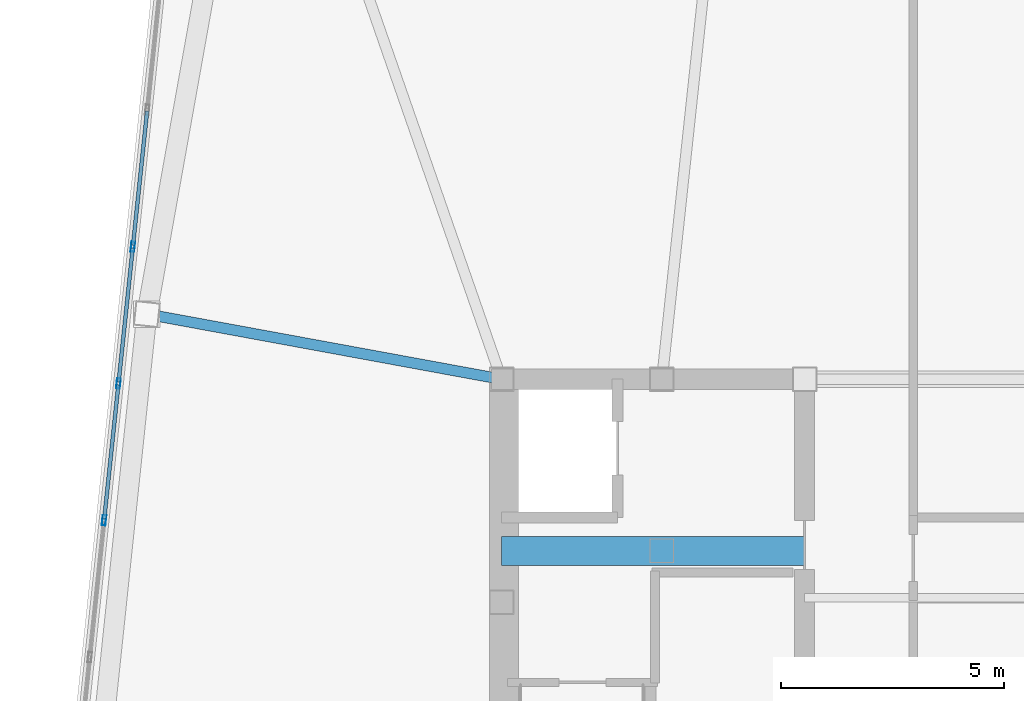
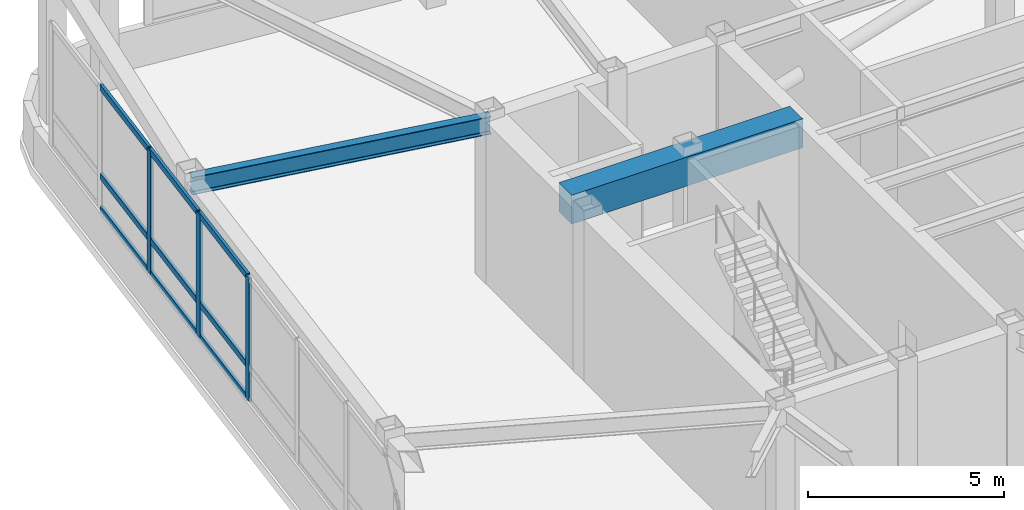
# One storey, part 7 of 23: 12 members, 2 beams, 1 element without a shape of its own.
"""IFC4 building model written with IfcOpenShell, lengths in metres."""

from ifc_helpers import new_model, si_unit, direction, frame, origin, origin_2d, place, context, subcontext, project, spatial, rectangle, hollow_rectangle, i_section, extrude, material, layer, layer_set, material_profile, profile_set, type_object, element, aggregate, save


model = new_model("IFC4")

# Units and contexts
model_context = context("Model", 3, precision=1e-05, world=origin(), true_north=direction((0.0, 1.0)))
body_context = subcontext(model_context, "Body", "Model", "MODEL_VIEW")
ifc_project = project(units=[si_unit("LENGTHUNIT", "METRE"), si_unit("AREAUNIT", "SQUARE_METRE"), si_unit("VOLUMEUNIT", "CUBIC_METRE"), si_unit("PLANEANGLEUNIT", "RADIAN"), si_unit("MASSUNIT", "GRAM", prefix="KILO")], contexts=[model_context])

# Site, building, storey
site_placement = place(None, origin())
site = spatial("IfcSite", under=ifc_project, at=site_placement, CompositionType="ELEMENT")
building_placement = place(site_placement, origin())
building = spatial("IfcBuilding", under=site, at=building_placement, Name="Voryun Gate Residences", CompositionType="ELEMENT")
storey_placement = place(building_placement, frame((0.0, 0.0, 321.300048828125)))
storey = spatial("IfcBuildingStorey", under=building, at=storey_placement, Name="L79", CompositionType="ELEMENT", Elevation=321.300048828125)

# Beams
ifc_material_1 = material(Name="Concrete C60/75", Category="concrete")
ifc_material_profile_1 = material_profile(ifc_material_1, rectangle(XDim=0.64990234375, YDim=0.89990234375, at=origin_2d()), Name="RC-650x900")
ifc_profile_set_1 = profile_set([ifc_material_profile_1], Name="Concrete C60/75")
beam_type_1 = type_object("IfcBeamType", Name="BM_COUP_RC900", PredefinedType="LINTEL", material=ifc_profile_set_1)
beam_1_placement = place(storey_placement, frame((-19.199951171875, 3.550048828125, 4.574951171875), z_axis=(1.0, 0.0, 0.0), x_axis=(0.0, 1.0, 0.0)))
element("IfcBeam", 1, at=beam_1_placement, inside=storey, type_object=beam_type_1, Name="BM-L79-WC1", PredefinedType="LINTEL", context=body_context, shape_type="SweptSolid", body=[
    extrude(rectangle(XDim=0.64990234375, YDim=0.89990234375, at=origin_2d()), origin(), (0.0, 0.0, 1.0), 6.800048828125),
])
ifc_material_2 = material(Name="Steel SM355", Category="steel")
ifc_material_profile_2 = material_profile(ifc_material_2, i_section(OverallWidth=0.239990234375, OverallDepth=0.550048828125, WebThickness=0.011962890625, FlangeThickness=0.02001953125, FilletRadius=0.01806640625, at=origin_2d()), Name="H-550x240x12x20")
ifc_profile_set_2 = profile_set([ifc_material_profile_2], Name="Steel SM355")
beam_type_2 = type_object("IfcBeamType", Name="BM_GIRD_550", PredefinedType="USERDEFINED", material=ifc_profile_set_2)
beam_2_placement = place(storey_placement, frame((-19.199951171875, 7.39990234375, 4.75), z_axis=(-0.983548260318, 0.180645563534, 0.0), x_axis=(-0.180645563534, -0.983548260318, 0.0)))
element("IfcBeam", 2, at=beam_2_placement, inside=storey, type_object=beam_type_2, Name="BM-L79-RAD-W1", ObjectType="GIRDER", PredefinedType="USERDEFINED", context=body_context, shape_type="SweptSolid", body=[
    extrude(i_section(OverallWidth=0.239990234375, OverallDepth=0.550048828125, WebThickness=0.011962890625, FlangeThickness=0.02001953125, FilletRadius=0.01806640625, at=origin_2d()), origin(), (0.0, 0.0, 1.0), 8.09130859375),
])

# Curtain wall, members
ifc_material_3 = material(Name="Anodised aluminium", Category="aluminium")
ifc_layer = layer(ifc_material_3, 0.22998046875, Name="CW_SYS_LANTERN_DARK_GLASS")
ifc_layer_set = layer_set([ifc_layer], Name="Anodised aluminium")
curtain_wall_type = type_object("IfcCurtainWallType", Name="CW_SYS_LANTERN_DARK_GLASS", PredefinedType="NOTDEFINED", material=ifc_layer_set)
curtain_wall_placement = place(storey_placement, origin())
curtain_wall = element("IfcCurtainWall", 3, at=curtain_wall_placement, inside=storey, type_object=curtain_wall_type, Name="Curtain wall CW6-L79-06", PredefinedType="NOTDEFINED")
ifc_material_4 = material(Name="Anodised aluminium", Category="aluminium")
ifc_material_profile_3 = material_profile(ifc_material_4, hollow_rectangle(XDim=0.0849609375, YDim=0.22998046875, WallThickness=0.006103515625, at=origin_2d()), Name="ALU-MULL-230x85x6")
ifc_profile_set_3 = profile_set([ifc_material_profile_3], Name="Anodised aluminium")
member_type_1 = type_object("IfcMemberType", Name="CW_MULL_LANT", PredefinedType="MULLION", material=ifc_profile_set_3)
member_1_placement = place(storey_placement, frame((-28.1171875, 4.234375, 1.18994140625), z_axis=(0.0, 0.0, 1.0), x_axis=(-0.994521943608, 0.104528004296, 0.0)))
member_1 = element("IfcMember", 4, at=member_1_placement, type_object=member_type_1, Name="CW6 mullion 6", PredefinedType="MULLION", context=body_context, shape_type="SweptSolid", body=[
    extrude(hollow_rectangle(XDim=0.0849609375, YDim=0.22998046875, WallThickness=0.006103515625, at=origin_2d()), origin(), (0.0, 0.0, 1.0), 3.8349609375),
])
member_2_placement = place(storey_placement, frame((-27.79443359375, 7.305419921875, 1.18994140625), z_axis=(0.0, 0.0, 1.0), x_axis=(-0.994521943608, 0.104528004296, 0.0)))
member_2 = element("IfcMember", 5, at=member_2_placement, type_object=member_type_1, Name="CW6 mullion 7", PredefinedType="MULLION", context=body_context, shape_type="SweptSolid", body=[
    extrude(hollow_rectangle(XDim=0.0849609375, YDim=0.22998046875, WallThickness=0.006103515625, at=origin_2d()), origin(), (0.0, 0.0, 1.0), 3.8349609375),
])
member_3_placement = place(storey_placement, frame((-27.4716796875, 10.376220703125, 1.18994140625), z_axis=(0.0, 0.0, 1.0), x_axis=(-0.994521943608, 0.104528004296, 0.0)))
member_3 = element("IfcMember", 6, at=member_3_placement, type_object=member_type_1, Name="CW6 mullion 8", PredefinedType="MULLION", context=body_context, shape_type="SweptSolid", body=[
    extrude(hollow_rectangle(XDim=0.0849609375, YDim=0.22998046875, WallThickness=0.006103515625, at=origin_2d()), origin(), (0.0, 0.0, 1.0), 3.8349609375),
])
ifc_material_5 = material(Name="Anodised aluminium", Category="aluminium")
ifc_material_profile_4 = material_profile(ifc_material_5, hollow_rectangle(XDim=0.0849609375, YDim=0.18994140625, WallThickness=0.006103515625, at=origin_2d()), Name="ALU-TRAN-190x85x6")
ifc_profile_set_4 = profile_set([ifc_material_profile_4], Name="Anodised aluminium")
member_type_2 = type_object("IfcMemberType", Name="CW_TRAN_LANT", PredefinedType="USERDEFINED", material=ifc_profile_set_4)
member_4_placement = place(storey_placement, frame((-28.114013671875, 4.26416015625, 1.219970703125), z_axis=(0.104500100479, 0.994524876009, 0.0), x_axis=(-0.994524876009, 0.104500100479, 0.0)))
member_4 = element("IfcMember", 7, at=member_4_placement, type_object=member_type_2, Name="CW6 transom 6.1", ObjectType="TRANSOM", PredefinedType="USERDEFINED", context=body_context, shape_type="SweptSolid", body=[
    extrude(hollow_rectangle(XDim=0.0849609375, YDim=0.18994140625, WallThickness=0.006103515625, at=origin_2d()), origin(), (0.0, 0.0, 1.0), 3.02783203125),
])
member_5_placement = place(storey_placement, frame((-28.114013671875, 4.26416015625, 2.239990234375), z_axis=(0.104500100479, 0.994524876009, 0.0), x_axis=(-0.994524876009, 0.104500100479, 0.0)))
member_5 = element("IfcMember", 8, at=member_5_placement, type_object=member_type_2, Name="CW6 transom 6.2", ObjectType="TRANSOM", PredefinedType="USERDEFINED", context=body_context, shape_type="SweptSolid", body=[
    extrude(hollow_rectangle(XDim=0.0849609375, YDim=0.18994140625, WallThickness=0.006103515625, at=origin_2d()), origin(), (0.0, 0.0, 1.0), 3.02783203125),
])
member_6_placement = place(storey_placement, frame((-28.114013671875, 4.26416015625, 4.994873046875), z_axis=(0.104500100479, 0.994524876009, 0.0), x_axis=(-0.994524876009, 0.104500100479, 0.0)))
member_6 = element("IfcMember", 9, at=member_6_placement, type_object=member_type_2, Name="CW6 transom 6.3", ObjectType="TRANSOM", PredefinedType="USERDEFINED", context=body_context, shape_type="SweptSolid", body=[
    extrude(hollow_rectangle(XDim=0.0849609375, YDim=0.18994140625, WallThickness=0.006103515625, at=origin_2d()), origin(), (0.0, 0.0, 1.0), 3.02783203125),
])
member_7_placement = place(storey_placement, frame((-27.791259765625, 7.335205078125, 1.219970703125), z_axis=(0.104500100479, 0.994524876009, 0.0), x_axis=(-0.994524876009, 0.104500100479, 0.0)))
member_7 = element("IfcMember", 10, at=member_7_placement, type_object=member_type_2, Name="CW6 transom 7.1", ObjectType="TRANSOM", PredefinedType="USERDEFINED", context=body_context, shape_type="SweptSolid", body=[
    extrude(hollow_rectangle(XDim=0.0849609375, YDim=0.18994140625, WallThickness=0.006103515625, at=origin_2d()), origin(), (0.0, 0.0, 1.0), 3.02783203125),
])
member_8_placement = place(storey_placement, frame((-27.791259765625, 7.335205078125, 2.239990234375), z_axis=(0.104500100479, 0.994524876009, 0.0), x_axis=(-0.994524876009, 0.104500100479, 0.0)))
member_8 = element("IfcMember", 11, at=member_8_placement, type_object=member_type_2, Name="CW6 transom 7.2", ObjectType="TRANSOM", PredefinedType="USERDEFINED", context=body_context, shape_type="SweptSolid", body=[
    extrude(hollow_rectangle(XDim=0.0849609375, YDim=0.18994140625, WallThickness=0.006103515625, at=origin_2d()), origin(), (0.0, 0.0, 1.0), 3.02783203125),
])
member_9_placement = place(storey_placement, frame((-27.791259765625, 7.335205078125, 4.994873046875), z_axis=(0.104500100479, 0.994524876009, 0.0), x_axis=(-0.994524876009, 0.104500100479, 0.0)))
member_9 = element("IfcMember", 12, at=member_9_placement, type_object=member_type_2, Name="CW6 transom 7.3", ObjectType="TRANSOM", PredefinedType="USERDEFINED", context=body_context, shape_type="SweptSolid", body=[
    extrude(hollow_rectangle(XDim=0.0849609375, YDim=0.18994140625, WallThickness=0.006103515625, at=origin_2d()), origin(), (0.0, 0.0, 1.0), 3.02783203125),
])
member_10_placement = place(storey_placement, frame((-27.468505859375, 10.406005859375, 1.219970703125), z_axis=(0.104500100479, 0.994524876009, 0.0), x_axis=(-0.994524876009, 0.104500100479, 0.0)))
member_10 = element("IfcMember", 13, at=member_10_placement, type_object=member_type_2, Name="CW6 transom 8.1", ObjectType="TRANSOM", PredefinedType="USERDEFINED", context=body_context, shape_type="SweptSolid", body=[
    extrude(hollow_rectangle(XDim=0.0849609375, YDim=0.18994140625, WallThickness=0.006103515625, at=origin_2d()), origin(), (0.0, 0.0, 1.0), 3.02783203125),
])
member_11_placement = place(storey_placement, frame((-27.468505859375, 10.406005859375, 2.239990234375), z_axis=(0.104500100479, 0.994524876009, 0.0), x_axis=(-0.994524876009, 0.104500100479, 0.0)))
member_11 = element("IfcMember", 14, at=member_11_placement, type_object=member_type_2, Name="CW6 transom 8.2", ObjectType="TRANSOM", PredefinedType="USERDEFINED", context=body_context, shape_type="SweptSolid", body=[
    extrude(hollow_rectangle(XDim=0.0849609375, YDim=0.18994140625, WallThickness=0.006103515625, at=origin_2d()), origin(), (0.0, 0.0, 1.0), 3.02783203125),
])
member_12_placement = place(storey_placement, frame((-27.468505859375, 10.406005859375, 4.994873046875), z_axis=(0.104500100479, 0.994524876009, 0.0), x_axis=(-0.994524876009, 0.104500100479, 0.0)))
member_12 = element("IfcMember", 15, at=member_12_placement, type_object=member_type_2, Name="CW6 transom 8.3", ObjectType="TRANSOM", PredefinedType="USERDEFINED", context=body_context, shape_type="SweptSolid", body=[
    extrude(hollow_rectangle(XDim=0.0849609375, YDim=0.18994140625, WallThickness=0.006103515625, at=origin_2d()), origin(), (0.0, 0.0, 1.0), 3.02783203125),
])
aggregate(curtain_wall, [member_1, member_2, member_3, member_4, member_5, member_6, member_7, member_8, member_9, member_10, member_11, member_12])

save(model, "model.ifc")
